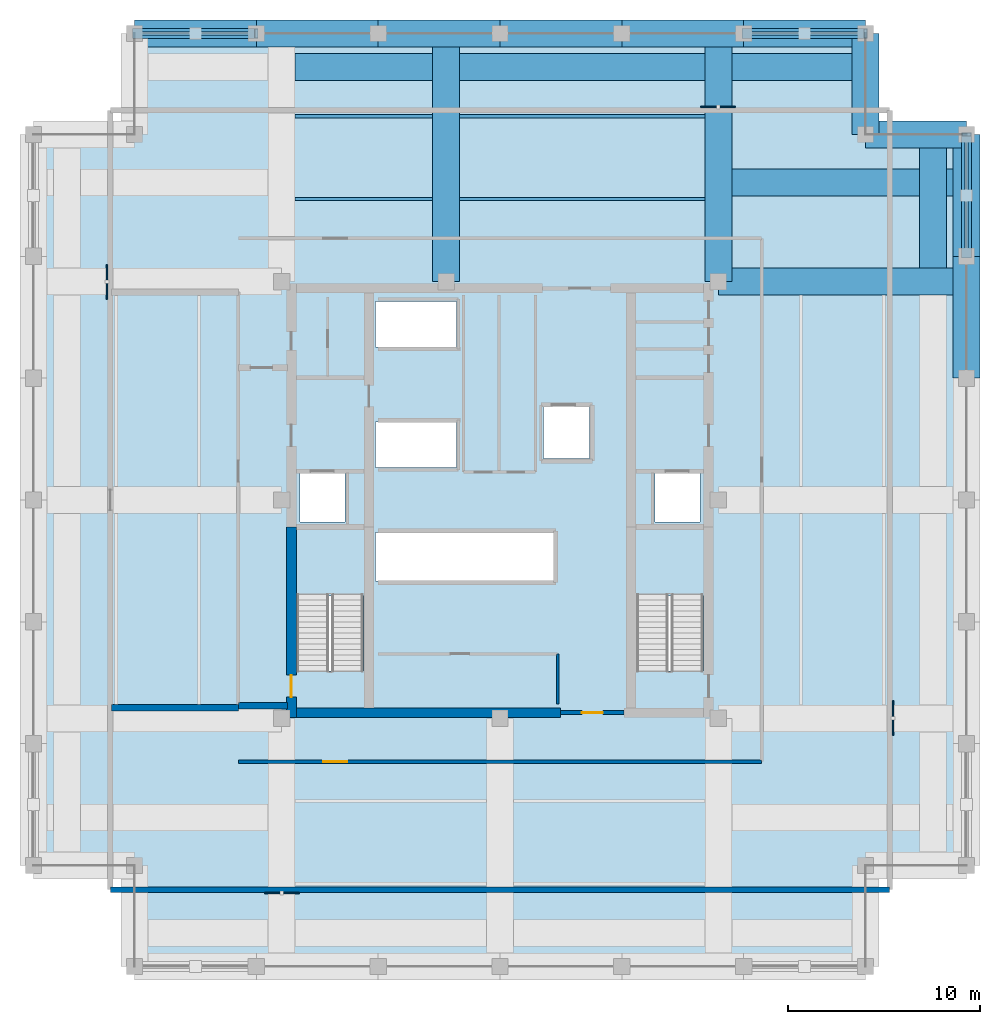
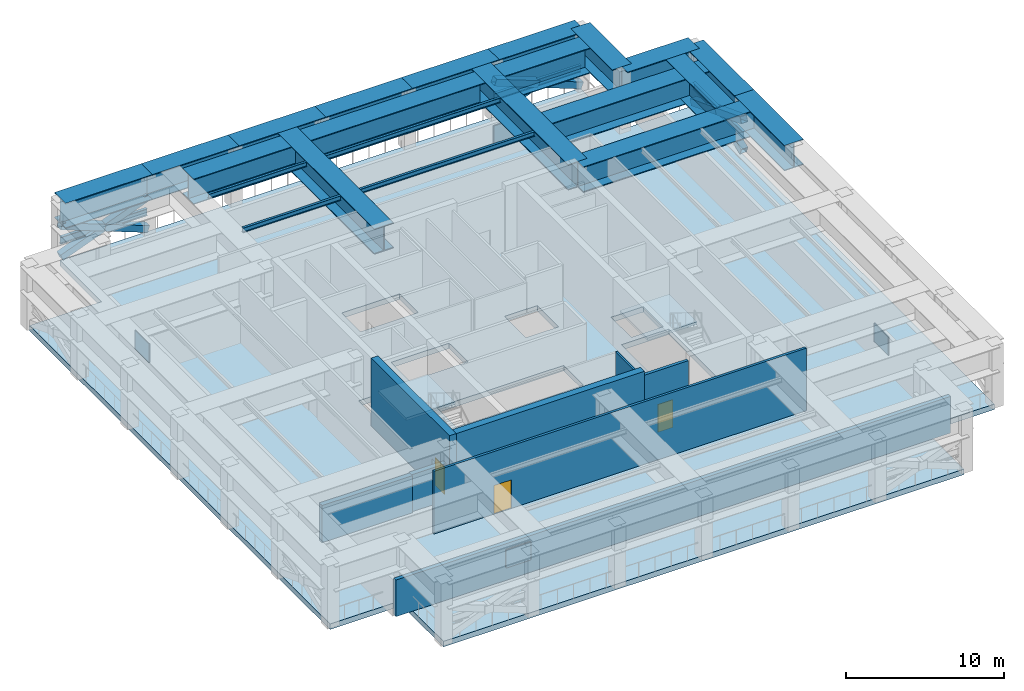
# One storey, part 2 of 10: 24 beams, 9 members, 8 walls, 4 plates, 3 doors, 3 slabs, 3 openings, 2 elements without a shape of their own.
"""IFC4 building model written with IfcOpenShell, lengths in metres."""

from ifc_helpers import new_model, si_unit, direction, frame, frame_2d, origin, origin_2d, place, context, subcontext, project, spatial, polyline, rectangle, hollow_rectangle, i_section, outline, extrude, material, layer, layer_set, material_profile, profile_set, type_object, element, fill, aggregate, save


model = new_model("IFC4")

# Units and contexts
model_context = context("Model", 3, precision=1e-05, world=origin(), true_north=direction((0.0, 1.0)))
body_context = subcontext(model_context, "Body", "Model", "MODEL_VIEW")
ifc_project = project(units=[si_unit("LENGTHUNIT", "METRE"), si_unit("AREAUNIT", "SQUARE_METRE"), si_unit("VOLUMEUNIT", "CUBIC_METRE"), si_unit("PLANEANGLEUNIT", "RADIAN"), si_unit("MASSUNIT", "GRAM", prefix="KILO")], contexts=[model_context])

# Site, building, storey
site_placement = place(None, origin())
site = spatial("IfcSite", under=ifc_project, at=site_placement, CompositionType="ELEMENT")
building_placement = place(site_placement, origin())
building = spatial("IfcBuilding", under=site, at=building_placement, Name="Nhamokura Convention Tower", CompositionType="ELEMENT")
storey_placement = place(building_placement, frame((0.0, 0.0, 252.35009765625)))
storey = spatial("IfcBuildingStorey", under=building, at=storey_placement, Name="L62", CompositionType="ELEMENT", Elevation=252.35009765625)

# Beams
ifc_material_1 = material(Name="Steel ASTM A992 Gr 50", Category="steel")
ifc_material_profile_1 = material_profile(ifc_material_1, i_section(OverallWidth=0.172119140625, OverallDepth=0.35791015625, WebThickness=0.0078125, FlangeThickness=0.01318359375, at=origin_2d()))
ifc_profile_set_1 = profile_set([ifc_material_profile_1], Name="Steel ASTM A992 Gr 50")
beam_type_1 = type_object("IfcBeamType", Name="FloorJoist_W360X57", PredefinedType="JOIST", material=ifc_profile_set_1)
beam_1_placement = place(storey_placement, frame((21.347900390625, 47.64990234375, 4.65087890625), z_axis=(1.0, 0.0, 0.0), x_axis=(0.0, 1.0, 0.0)))
element("IfcBeam", 1, at=beam_1_placement, inside=storey, type_object=beam_type_1, Name="L62 Composite Floor Joist N1A", PredefinedType="JOIST", context=body_context, shape_type="SweptSolid", body=[
    extrude(i_section(OverallWidth=0.172119140625, OverallDepth=0.35791015625, WebThickness=0.0078125, FlangeThickness=0.01318359375, at=origin_2d()), origin(), (0.0, 0.0, 1.0), 7.154052734375),
])
beam_2_placement = place(storey_placement, frame((29.89794921875, 47.64990234375, 4.65087890625), z_axis=(1.0, 0.0, 0.0), x_axis=(0.0, 1.0, 0.0)))
element("IfcBeam", 2, at=beam_2_placement, inside=storey, type_object=beam_type_1, Name="L62 Composite Floor Joist N1B", PredefinedType="JOIST", context=body_context, shape_type="SweptSolid", body=[
    extrude(i_section(OverallWidth=0.172119140625, OverallDepth=0.35791015625, WebThickness=0.0078125, FlangeThickness=0.01318359375, at=origin_2d()), origin(), (0.0, 0.0, 1.0), 12.754150390625),
])
beam_3_placement = place(storey_placement, frame((21.347900390625, 51.949951171875, 4.65087890625), z_axis=(1.0, 0.0, 0.0), x_axis=(0.0, 1.0, 0.0)))
element("IfcBeam", 3, at=beam_3_placement, inside=storey, type_object=beam_type_1, Name="L62 Composite Floor Joist N2A", PredefinedType="JOIST", context=body_context, shape_type="SweptSolid", body=[
    extrude(i_section(OverallWidth=0.172119140625, OverallDepth=0.35791015625, WebThickness=0.0078125, FlangeThickness=0.01318359375, at=origin_2d()), origin(), (0.0, 0.0, 1.0), 7.154052734375),
])
beam_4_placement = place(storey_placement, frame((29.89794921875, 51.949951171875, 4.65087890625), z_axis=(1.0, 0.0, 0.0), x_axis=(0.0, 1.0, 0.0)))
element("IfcBeam", 4, at=beam_4_placement, inside=storey, type_object=beam_type_1, Name="L62 Composite Floor Joist N2B", PredefinedType="JOIST", context=body_context, shape_type="SweptSolid", body=[
    extrude(i_section(OverallWidth=0.172119140625, OverallDepth=0.35791015625, WebThickness=0.0078125, FlangeThickness=0.01318359375, at=origin_2d()), origin(), (0.0, 0.0, 1.0), 12.754150390625),
])

# Members
ifc_material_2 = material(Name="Steel ASTM A572 Gr 50", Category="steel")
ifc_material_profile_2 = material_profile(ifc_material_2, hollow_rectangle(XDim=0.5, YDim=0.5, WallThickness=0.02490234375, at=origin_2d()))
ifc_profile_set_2 = profile_set([ifc_material_profile_2], Name="Steel ASTM A572 Gr 50")
member_type = type_object("IfcMemberType", Name="OutriggerBrace_HSS500", PredefinedType="BRACE", material=ifc_profile_set_2)
member_1_placement = place(storey_placement, frame((13.0, 56.25, 0.349853515625), z_axis=(0.933638416339, 0.0, 0.358216844294), x_axis=(0.0, 1.0, 0.0)))
element("IfcMember", 5, at=member_1_placement, inside=storey, type_object=member_type, Name="L62 Continuous Outrigger Diagonal OUT-N0-1", PredefinedType="BRACE", context=body_context, shape_type="SweptSolid", body=[
    extrude(hollow_rectangle(XDim=0.5, YDim=0.5, WallThickness=0.02490234375, at=origin_2d()), origin(), (0.0, 0.0, 1.0), 6.783447265625),
])
member_2_placement = place(storey_placement, frame((13.0, 56.25, 2.77978515625), z_axis=(0.933655070262, 0.0, -0.358173435327), x_axis=(0.0, 1.0, 0.0)))
element("IfcMember", 6, at=member_2_placement, inside=storey, type_object=member_type, Name="L62 Split Outrigger Diagonal OUT-N0-2A", PredefinedType="BRACE", context=body_context, shape_type="SweptSolid", body=[
    extrude(hollow_rectangle(XDim=0.5, YDim=0.5, WallThickness=0.02490234375, at=origin_2d()), origin(), (0.0, 0.0, 1.0), 3.391845703125),
])
member_3_placement = place(storey_placement, frame((16.166748046875, 56.25, 1.56494140625), z_axis=(0.933621759708, 0.0, -0.358260254284), x_axis=(0.0, 1.0, 0.0)))
element("IfcMember", 7, at=member_3_placement, inside=storey, type_object=member_type, Name="L62 Split Outrigger Diagonal OUT-N0-2B", PredefinedType="BRACE", context=body_context, shape_type="SweptSolid", body=[
    extrude(hollow_rectangle(XDim=0.5, YDim=0.5, WallThickness=0.02490234375, at=origin_2d()), origin(), (0.0, 0.0, 1.0), 3.3916015625),
])
member_4_placement = place(storey_placement, frame((44.666748046875, 56.25, 0.349853515625), z_axis=(0.933638416339, 0.0, 0.358216844294), x_axis=(0.0, 1.0, 0.0)))
element("IfcMember", 8, at=member_4_placement, inside=storey, type_object=member_type, Name="L62 Continuous Outrigger Diagonal OUT-N5-1", PredefinedType="BRACE", context=body_context, shape_type="SweptSolid", body=[
    extrude(hollow_rectangle(XDim=0.5, YDim=0.5, WallThickness=0.02490234375, at=origin_2d()), origin(), (0.0, 0.0, 1.0), 6.783447265625),
])
member_5_placement = place(storey_placement, frame((44.666748046875, 56.25, 2.77978515625), z_axis=(0.933645835121, 0.0, -0.358197507754), x_axis=(0.0, 1.0, 0.0)))
element("IfcMember", 9, at=member_5_placement, inside=storey, type_object=member_type, Name="L62 Split Outrigger Diagonal OUT-N5-2A", PredefinedType="BRACE", context=body_context, shape_type="SweptSolid", body=[
    extrude(hollow_rectangle(XDim=0.5, YDim=0.5, WallThickness=0.02490234375, at=origin_2d()), origin(), (0.0, 0.0, 1.0), 3.3916015625),
])
member_6_placement = place(storey_placement, frame((47.833251953125, 56.25, 1.56494140625), z_axis=(0.933630997846, 0.0, -0.358236178882), x_axis=(0.0, 1.0, 0.0)))
element("IfcMember", 10, at=member_6_placement, inside=storey, type_object=member_type, Name="L62 Split Outrigger Diagonal OUT-N5-2B", PredefinedType="BRACE", context=body_context, shape_type="SweptSolid", body=[
    extrude(hollow_rectangle(XDim=0.5, YDim=0.5, WallThickness=0.02490234375, at=origin_2d()), origin(), (0.0, 0.0, 1.0), 3.391845703125),
])
member_7_placement = place(storey_placement, frame((56.25, 44.666748046875, 0.349853515625), z_axis=(0.0, 0.933638416339, 0.358216844294), x_axis=(-1.0, 0.0, 0.0)))
element("IfcMember", 11, at=member_7_placement, inside=storey, type_object=member_type, Name="L62 Continuous Outrigger Diagonal OUT-E5-1", PredefinedType="BRACE", context=body_context, shape_type="SweptSolid", body=[
    extrude(hollow_rectangle(XDim=0.5, YDim=0.5, WallThickness=0.02490234375, at=origin_2d()), origin(), (0.0, 0.0, 1.0), 6.783447265625),
])
member_8_placement = place(storey_placement, frame((56.25, 44.666748046875, 2.77978515625), z_axis=(0.0, 0.933645835121, -0.358197507754), x_axis=(-1.0, 0.0, 0.0)))
element("IfcMember", 12, at=member_8_placement, inside=storey, type_object=member_type, Name="L62 Split Outrigger Diagonal OUT-E5-2A", PredefinedType="BRACE", context=body_context, shape_type="SweptSolid", body=[
    extrude(hollow_rectangle(XDim=0.5, YDim=0.5, WallThickness=0.02490234375, at=origin_2d()), origin(), (0.0, 0.0, 1.0), 3.3916015625),
])
member_9_placement = place(storey_placement, frame((56.25, 47.833251953125, 1.56494140625), z_axis=(0.0, 0.933630997846, -0.358236178882), x_axis=(-1.0, 0.0, 0.0)))
element("IfcMember", 13, at=member_9_placement, inside=storey, type_object=member_type, Name="L62 Split Outrigger Diagonal OUT-E5-2B", PredefinedType="BRACE", context=body_context, shape_type="SweptSolid", body=[
    extrude(hollow_rectangle(XDim=0.5, YDim=0.5, WallThickness=0.02490234375, at=origin_2d()), origin(), (0.0, 0.0, 1.0), 3.391845703125),
])

# Beams
ifc_material_3 = material(Name="Steel ASTM A992 Gr 50", Category="steel")
ifc_material_profile_3 = material_profile(ifc_material_3, i_section(OverallWidth=0.208984375, OverallDepth=0.532958984375, WebThickness=0.01025390625, FlangeThickness=0.015625, at=origin_2d()))
ifc_profile_set_3 = profile_set([ifc_material_profile_3], Name="Steel ASTM A992 Gr 50")
beam_type_2 = type_object("IfcBeamType", Name="PrimaryGirder_W530X92", PredefinedType="BEAM", material=ifc_profile_set_3)
for number, where, z_axis, x_axis, name in (
    (14, (13.0, 56.25, 1.56494140625), (1.0, 0.0, 0.0), (0.0, 1.0, 0.0), "L62 Outrigger X-Brace Node Tie Beam OUT-N0"),
    (15, (44.666748046875, 56.25, 1.56494140625), (1.0, 0.0, 0.0), (0.0, 1.0, 0.0), "L62 Outrigger X-Brace Node Tie Beam OUT-N5"),
    (16, (56.25, 44.666748046875, 1.56494140625), (0.0, 1.0, 0.0), (-1.0, 0.0, 0.0), "L62 Outrigger X-Brace Node Tie Beam OUT-E5"),
):
    element("IfcBeam", number, at=place(storey_placement, frame(where, z_axis=z_axis, x_axis=x_axis)), inside=storey, type_object=beam_type_2, Name=name, PredefinedType="BEAM", context=body_context, shape_type="SweptSolid", body=[
        extrude(i_section(OverallWidth=0.208984375, OverallDepth=0.532958984375, WebThickness=0.01025390625, FlangeThickness=0.015625, at=origin_2d()), origin(), (0.0, 0.0, 1.0), 6.333251953125),
    ])
ifc_material_4 = material(Name="Steel ASTM A572 Gr 50", Category="steel")
ifc_material_profile_4 = material_profile(ifc_material_4, i_section(OverallWidth=1.39990234375, OverallDepth=1.9599609375, WebThickness=0.054931640625, FlangeThickness=0.06005859375, at=origin_2d()))
ifc_profile_set_4 = profile_set([ifc_material_profile_4], Name="Steel ASTM A572 Gr 50")
beam_type_3 = type_object("IfcBeamType", Name="TransferGirder_2000", PredefinedType="USERDEFINED", material=ifc_profile_set_4)
beam_5_placement = place(storey_placement, frame((13.0, 56.25, 3.849853515625), z_axis=(1.0, 0.0, 0.0), x_axis=(0.0, 1.0, 0.0)))
element("IfcBeam", 17, at=beam_5_placement, inside=storey, type_object=beam_type_3, Name="L62 Perimeter Transfer Spandrel NORTH 1", ObjectType="TRANSFER_GIRDER", PredefinedType="USERDEFINED", context=body_context, shape_type="SweptSolid", body=[
    extrude(i_section(OverallWidth=1.39990234375, OverallDepth=1.9599609375, WebThickness=0.054931640625, FlangeThickness=0.06005859375, at=origin_2d()), origin(), (0.0, 0.0, 1.0), 6.333251953125),
])
beam_6_placement = place(storey_placement, frame((19.333251953125, 56.25, 3.849853515625), z_axis=(1.0, 0.0, 0.0), x_axis=(0.0, 1.0, 0.0)))
element("IfcBeam", 18, at=beam_6_placement, inside=storey, type_object=beam_type_3, Name="L62 Perimeter Transfer Spandrel NORTH 2", ObjectType="TRANSFER_GIRDER", PredefinedType="USERDEFINED", context=body_context, shape_type="SweptSolid", body=[
    extrude(i_section(OverallWidth=1.39990234375, OverallDepth=1.9599609375, WebThickness=0.054931640625, FlangeThickness=0.06005859375, at=origin_2d()), origin(), (0.0, 0.0, 1.0), 6.33349609375),
])
for number, where, z_axis, x_axis, name in (
    (19, (25.666748046875, 56.25, 3.849853515625), (1.0, 0.0, 0.0), (0.0, 1.0, 0.0), "L62 Perimeter Transfer Spandrel NORTH 3"),
    (20, (32.0, 56.25, 3.849853515625), (1.0, 0.0, 0.0), (0.0, 1.0, 0.0), "L62 Perimeter Transfer Spandrel NORTH 4"),
):
    element("IfcBeam", number, at=place(storey_placement, frame(where, z_axis=z_axis, x_axis=x_axis)), inside=storey, type_object=beam_type_3, Name=name, ObjectType="TRANSFER_GIRDER", PredefinedType="USERDEFINED", context=body_context, shape_type="SweptSolid", body=[
        extrude(i_section(OverallWidth=1.39990234375, OverallDepth=1.9599609375, WebThickness=0.054931640625, FlangeThickness=0.06005859375, at=origin_2d()), origin(), (0.0, 0.0, 1.0), 6.333251953125),
    ])
beam_7_placement = place(storey_placement, frame((38.333251953125, 56.25, 3.849853515625), z_axis=(1.0, 0.0, 0.0), x_axis=(0.0, 1.0, 0.0)))
element("IfcBeam", 21, at=beam_7_placement, inside=storey, type_object=beam_type_3, Name="L62 Perimeter Transfer Spandrel NORTH 5", ObjectType="TRANSFER_GIRDER", PredefinedType="USERDEFINED", context=body_context, shape_type="SweptSolid", body=[
    extrude(i_section(OverallWidth=1.39990234375, OverallDepth=1.9599609375, WebThickness=0.054931640625, FlangeThickness=0.06005859375, at=origin_2d()), origin(), (0.0, 0.0, 1.0), 6.33349609375),
])
beam_8_placement = place(storey_placement, frame((44.666748046875, 56.25, 3.849853515625), z_axis=(1.0, 0.0, 0.0), x_axis=(0.0, 1.0, 0.0)))
element("IfcBeam", 22, at=beam_8_placement, inside=storey, type_object=beam_type_3, Name="L62 Perimeter Transfer Spandrel NORTH 6", ObjectType="TRANSFER_GIRDER", PredefinedType="USERDEFINED", context=body_context, shape_type="SweptSolid", body=[
    extrude(i_section(OverallWidth=1.39990234375, OverallDepth=1.9599609375, WebThickness=0.054931640625, FlangeThickness=0.06005859375, at=origin_2d()), origin(), (0.0, 0.0, 1.0), 6.333251953125),
])
beam_9_placement = place(storey_placement, frame((56.25, 38.333251953125, 3.849853515625), z_axis=(0.0, 1.0, 0.0), x_axis=(-1.0, 0.0, 0.0)))
element("IfcBeam", 23, at=beam_9_placement, inside=storey, type_object=beam_type_3, Name="L62 Perimeter Transfer Spandrel EAST 5", ObjectType="TRANSFER_GIRDER", PredefinedType="USERDEFINED", context=body_context, shape_type="SweptSolid", body=[
    extrude(i_section(OverallWidth=1.39990234375, OverallDepth=1.9599609375, WebThickness=0.054931640625, FlangeThickness=0.06005859375, at=origin_2d()), origin(), (0.0, 0.0, 1.0), 6.33349609375),
])
beam_10_placement = place(storey_placement, frame((56.25, 44.666748046875, 3.849853515625), z_axis=(0.0, 1.0, 0.0), x_axis=(-1.0, 0.0, 0.0)))
element("IfcBeam", 24, at=beam_10_placement, inside=storey, type_object=beam_type_3, Name="L62 Perimeter Transfer Spandrel EAST 6", ObjectType="TRANSFER_GIRDER", PredefinedType="USERDEFINED", context=body_context, shape_type="SweptSolid", body=[
    extrude(i_section(OverallWidth=1.39990234375, OverallDepth=1.9599609375, WebThickness=0.054931640625, FlangeThickness=0.06005859375, at=origin_2d()), origin(), (0.0, 0.0, 1.0), 6.333251953125),
])
for number, where, z_axis, x_axis, name in (
    (25, (56.25, 51.0, 3.849853515625), (-1.0, 0.0, 0.0), (0.0, -1.0, 0.0), "L62 Notch Transfer Spandrel NE1"),
    (26, (51.0, 51.0, 3.849853515625), (0.0, 1.0, 0.0), (-1.0, 0.0, 0.0), "L62 Notch Transfer Spandrel NE2"),
):
    element("IfcBeam", number, at=place(storey_placement, frame(where, z_axis=z_axis, x_axis=x_axis)), inside=storey, type_object=beam_type_3, Name=name, ObjectType="TRANSFER_GIRDER", PredefinedType="USERDEFINED", context=body_context, shape_type="SweptSolid", body=[
        extrude(i_section(OverallWidth=1.39990234375, OverallDepth=1.9599609375, WebThickness=0.054931640625, FlangeThickness=0.06005859375, at=origin_2d()), origin(), (0.0, 0.0, 1.0), 5.25),
    ])
beam_11_placement = place(storey_placement, frame((21.347900390625, 54.5, 3.849853515625), z_axis=(1.0, 0.0, 0.0), x_axis=(0.0, 1.0, 0.0)))
element("IfcBeam", 27, at=beam_11_placement, inside=storey, type_object=beam_type_3, Name="L62 Upper-Line Transfer Girder TGU-NM", ObjectType="TRANSFER_GIRDER", PredefinedType="USERDEFINED", context=body_context, shape_type="SweptSolid", body=[
    extrude(i_section(OverallWidth=1.39990234375, OverallDepth=1.9599609375, WebThickness=0.054931640625, FlangeThickness=0.06005859375, at=origin_2d()), origin(), (0.0, 0.0, 1.0), 21.30419921875),
])
for number, where, z_axis, x_axis, name in (
    (28, (44.048095703125, 54.5, 3.849853515625), (1.0, 0.0, 0.0), (0.0, 1.0, 0.0), "L62 Upper-Line Transfer Girder TGU-NE"),
    (29, (54.5, 44.048095703125, 3.849853515625), (0.0, 1.0, 0.0), (-1.0, 0.0, 0.0), "L62 Upper-Line Transfer Girder TGU-EN"),
):
    element("IfcBeam", number, at=place(storey_placement, frame(where, z_axis=z_axis, x_axis=x_axis)), inside=storey, type_object=beam_type_3, Name=name, ObjectType="TRANSFER_GIRDER", PredefinedType="USERDEFINED", context=body_context, shape_type="SweptSolid", body=[
        extrude(i_section(OverallWidth=1.39990234375, OverallDepth=1.9599609375, WebThickness=0.054931640625, FlangeThickness=0.06005859375, at=origin_2d()), origin(), (0.0, 0.0, 1.0), 6.25390625),
    ])
beam_12_placement = place(storey_placement, frame((44.048095703125, 48.5, 3.849853515625), z_axis=(1.0, 0.0, 0.0), x_axis=(0.0, 1.0, 0.0)))
element("IfcBeam", 30, at=beam_12_placement, inside=storey, type_object=beam_type_3, Name="L62 Upper-Line Transfer Girder TGN-NE0", ObjectType="TRANSFER_GIRDER", PredefinedType="USERDEFINED", context=body_context, shape_type="SweptSolid", body=[
    extrude(i_section(OverallWidth=1.39990234375, OverallDepth=1.9599609375, WebThickness=0.054931640625, FlangeThickness=0.06005859375, at=origin_2d()), origin(), (0.0, 0.0, 1.0), 11.50390625),
])
for number, where, z_axis, x_axis, name in (
    (31, (29.199951171875, 43.35009765625, 3.849853515625), (0.0, 1.0, 0.0), (-1.0, 0.0, 0.0), "L62 Primary Floor Girder PG-N2"),
    (32, (43.35009765625, 43.35009765625, 3.849853515625), (0.0, 1.0, 0.0), (-1.0, 0.0, 0.0), "L62 Primary Floor Girder PG-N3"),
    (33, (43.35009765625, 43.35009765625, 3.849853515625), (1.0, 0.0, 0.0), (0.0, 1.0, 0.0), "L62 Primary Floor Girder PG-E3"),
):
    element("IfcBeam", number, at=place(storey_placement, frame(where, z_axis=z_axis, x_axis=x_axis)), inside=storey, type_object=beam_type_3, Name=name, ObjectType="TRANSFER_GIRDER", PredefinedType="USERDEFINED", context=body_context, shape_type="SweptSolid", body=[
        extrude(i_section(OverallWidth=1.39990234375, OverallDepth=1.9599609375, WebThickness=0.054931640625, FlangeThickness=0.06005859375, at=origin_2d()), origin(), (0.0, 0.0, 1.0), 12.89990234375),
    ])

# Plates
ifc_material_5 = material(Name="Anodised bronze aluminium AA6063-T6", Category="aluminium")
ifc_layer_1 = layer(ifc_material_5, 0.074951171875)
ifc_layer_set_1 = layer_set([ifc_layer_1], Name="AcousticLouvrePlate_3")
plate_type = type_object("IfcPlateType", Name="AcousticLouvrePlate_3", PredefinedType="USERDEFINED", material=ifc_layer_set_1)
for number, where, z_axis, x_axis, name in (
    (34, (20.659912109375, 11.572509765625, 1.0), (0.0, 0.0, 1.0), (-1.0, 0.0, 0.0), "L62 Plant Acoustic Louvre S"),
    (35, (52.427490234375, 20.659912109375, 1.0), (0.0, 0.0, 1.0), (0.0, -1.0, 0.0), "L62 Plant Acoustic Louvre E"),
    (36, (43.340087890625, 52.427490234375, 1.0), (0.0, 0.0, 1.0), (1.0, 0.0, 0.0), "L62 Plant Acoustic Louvre N"),
    (37, (11.572509765625, 43.340087890625, 1.0), (0.0, 0.0, 1.0), (0.0, 1.0, 0.0), "L62 Plant Acoustic Louvre W"),
):
    element("IfcPlate", number, at=place(storey_placement, frame(where, z_axis=z_axis, x_axis=x_axis)), inside=storey, type_object=plate_type, Name=name, ObjectType="ACOUSTIC_LOUVRE", PredefinedType="USERDEFINED", context=body_context, shape_type="SweptSolid", body=[
        extrude(rectangle(XDim=1.800048828125, YDim=0.074951171875, at=origin_2d()), origin(), (0.0, 0.0, 1.0), 1.39990234375),
    ])

# Stair, slab
ifc_material_6 = material(Name="Concrete C40/50", Category="concrete")
stair_type = type_object("IfcStairType", Name="TowerCoreStair_1650", PredefinedType="HALF_TURN_STAIR", material=ifc_material_6)
stair_1_placement = place(storey_placement, origin())
stair_1 = element("IfcStair", 38, at=stair_1_placement, inside=storey, type_object=stair_type, Name="L62 West Core Smokeproof Stair ST-01", PredefinedType="HALF_TURN_STAIR")
ifc_material_7 = material(Name="Concrete C40/50", Category="concrete")
ifc_layer_2 = layer(ifc_material_7, 0.199951171875)
ifc_layer_set_2 = layer_set([ifc_layer_2], Name="StairLandingSlab_200")
slab_type_1 = type_object("IfcSlabType", Name="StairLandingSlab_200", PredefinedType="LANDING", material=ifc_layer_set_2)
slab_1_placement = place(storey_placement, frame((0.0, 0.0, 2.4248046875)))
slab_1 = element("IfcSlab", 39, at=slab_1_placement, type_object=slab_type_1, Name="ST-01 landing 1", PredefinedType="LANDING", context=body_context, shape_type="SweptSolid", body=[
    extrude(outline(polyline([(24.97998046875, 27.010009765625), (24.97998046875, 30.530029296875), (21.3701171875, 30.530029296875), (21.3701171875, 27.010009765625), (24.97998046875, 27.010009765625)])), origin(), (0.0, 0.0, 1.0), 0.2001953125),
])
aggregate(stair_1, [slab_1])

stair_2_placement = place(storey_placement, origin())
stair_2 = element("IfcStair", 40, at=stair_2_placement, inside=storey, type_object=stair_type, Name="L62 East Core Smokeproof Stair ST-02", PredefinedType="HALF_TURN_STAIR")
slab_2_placement = place(storey_placement, frame((0.0, 0.0, 2.4248046875)))
slab_2 = element("IfcSlab", 41, at=slab_2_placement, type_object=slab_type_1, Name="ST-02 landing 1", PredefinedType="LANDING", context=body_context, shape_type="SweptSolid", body=[
    extrude(outline(polyline([(42.6298828125, 27.010009765625), (42.6298828125, 30.530029296875), (39.02001953125, 30.530029296875), (39.02001953125, 27.010009765625), (42.6298828125, 27.010009765625)])), origin(), (0.0, 0.0, 1.0), 0.2001953125),
])
aggregate(stair_2, [slab_2])

# Slab
ifc_material_8 = material(Name="Concrete C50/60", Category="concrete")
ifc_layer_3 = layer(ifc_material_8, 0.419921875)
ifc_layer_set_3 = layer_set([ifc_layer_3], Name="TransferDeckSlab_380")
slab_type_2 = type_object("IfcSlabType", Name="TransferDeckSlab_380", PredefinedType="FLOOR", material=ifc_layer_set_3)
slab_3_placement = place(storey_placement, frame((0.0, 0.0, -0.420166015625)))
element("IfcSlab", 42, at=slab_3_placement, inside=storey, type_object=slab_type_2, Name="L62 Structural Floor Slab", PredefinedType="FLOOR", context=body_context, shape_type="SweptSolid", body=[
    extrude(outline(polyline([(13.0, 7.75), (51.0, 7.75), (51.0, 13.0), (56.25, 13.0), (56.25, 51.0), (51.0, 51.0), (51.0, 56.25), (13.0, 56.25), (13.0, 51.0), (7.75, 51.0), (7.75, 13.0), (13.0, 13.0), (13.0, 7.75)]), holes=[polyline([(24.89990234375, 23.10009765625), (24.89990234375, 30.449951171875), (21.449951171875, 30.449951171875), (21.449951171875, 23.10009765625), (24.89990234375, 23.10009765625)]), polyline([(42.550048828125, 23.10009765625), (42.550048828125, 30.449951171875), (39.10009765625, 30.449951171875), (39.10009765625, 23.10009765625), (42.550048828125, 23.10009765625)]), polyline([(21.60009765625, 30.85009765625), (23.949951171875, 30.85009765625), (23.949951171875, 33.39990234375), (21.60009765625, 33.39990234375), (21.60009765625, 30.85009765625)]), polyline([(40.050048828125, 30.85009765625), (42.39990234375, 30.85009765625), (42.39990234375, 33.39990234375), (40.050048828125, 33.39990234375), (40.050048828125, 30.85009765625)]), polyline([(34.25, 34.14990234375), (36.64990234375, 34.14990234375), (36.64990234375, 36.85009765625), (34.25, 36.85009765625), (34.25, 34.14990234375)]), polyline([(25.52001953125, 27.800048828125), (34.800048828125, 27.800048828125), (34.800048828125, 30.300048828125), (25.52001953125, 30.300048828125), (25.52001953125, 27.800048828125)]), polyline([(25.52001953125, 33.679931640625), (29.75, 33.679931640625), (29.75, 36.050048828125), (25.52001953125, 36.050048828125), (25.52001953125, 33.679931640625)]), polyline([(25.52001953125, 39.949951171875), (29.75, 39.949951171875), (29.75, 42.320068359375), (25.52001953125, 42.320068359375), (25.52001953125, 39.949951171875)])]), origin(), (0.0, 0.0, 1.0), 0.420166015625),
])

# Wall
ifc_material_9 = material(Name="Bronze-pigmented precast concrete C45/55", Category="concrete")
ifc_layer_4 = layer(ifc_material_9, 0.280029296875)
ifc_layer_set_4 = layer_set([ifc_layer_4], Name="BronzePrecastSpandrel_280")
wall_type_1 = type_object("IfcWallType", Name="BronzePrecastSpandrel_280", PredefinedType="USERDEFINED", material=ifc_layer_set_4)
wall_1_placement = place(storey_placement, frame((52.25, 11.75, 0.0), z_axis=(0.0, 0.0, 1.0), x_axis=(-1.0, 0.0, 0.0)))
element("IfcWall", 43, at=wall_1_placement, inside=storey, type_object=wall_type_1, Name="L62 Refuge Deck Enclosure Wall S", ObjectType="SPANDREL_WALL", PredefinedType="USERDEFINED", context=body_context, shape_type="SweptSolid", body=[
    extrude(rectangle(XDim=40.5, YDim=0.280029296875, at=frame_2d((20.25, 0.0))), origin(), (0.0, 0.0, 1.0), 2.829833984375),
])

# Wall, opening, door
ifc_material_10 = material(Name="Concrete C60/75", Category="concrete")
ifc_layer_5 = layer(ifc_material_10, 0.5)
ifc_layer_set_5 = layer_set([ifc_layer_5], Name="CoreShearWall_500")
wall_type_2 = type_object("IfcWallType", Name="CoreShearWall_500", PredefinedType="SHEAR", material=ifc_layer_set_5)
wall_2_placement = place(storey_placement, frame((21.159912109375, 20.699951171875, 0.0), z_axis=(0.0, 0.0, 1.0), x_axis=(0.0, 1.0, 0.0)))
wall_2 = element("IfcWall", 44, at=wall_2_placement, inside=storey, type_object=wall_type_2, Name="L62 Core Shear Wall CW-WS", PredefinedType="SHEAR", context=body_context, shape_type="SweptSolid", body=[
    extrude(rectangle(XDim=9.900146484375, YDim=0.5, at=frame_2d((4.9501953125, 0.0))), origin(), (0.0, 0.0, 1.0), 5.25),
])
opening_1_placement = place(wall_2_placement, frame((1.050048828125, 0.0, 0.0)))
opening_1 = element("IfcOpeningElement", 45, at=opening_1_placement, cuts=wall_2, Name="Opening D-04", PredefinedType="OPENING", context=body_context, shape_type="SweptSolid", body=[
    extrude(rectangle(XDim=1.14990234375, YDim=2.14990234375, at=frame_2d((0.574951171875, 1.074951171875))), frame((0.0, 0.260009765625, 0.0), z_axis=(0.0, -1.0, 0.0), x_axis=(1.0, 0.0, 0.0)), (0.0, 0.0, 1.0), 0.52001953125),
])
ifc_material_11 = material(Name="Fire-rated steel door", Category="steel")
door_type_1 = type_object("IfcDoorType", Name="StairSmokeDoor_1150", OperationType="NOTDEFINED", PredefinedType="DOOR", material=ifc_material_11)
door_1_placement = place(opening_1_placement, origin())
door_1 = element("IfcDoor", 46, at=door_1_placement, inside=storey, type_object=door_type_1, Name="L62 Core Door INT-L62-D-ST01", OperationType="SINGLE_SWING_LEFT", OverallHeight=2.14990234375, OverallWidth=1.14990234375, PredefinedType="DOOR", context=body_context, shape_type="SweptSolid", body=[
    extrude(rectangle(XDim=1.14990234375, YDim=2.14990234375, at=frame_2d((0.574951171875, 1.074951171875))), frame((0.0, 0.02490234375, 0.0), z_axis=(0.0, -1.0, 0.0), x_axis=(1.0, 0.0, 0.0)), (0.0, 0.0, 1.0), 0.050048828125),
])
fill(opening_1, door_1)

# Wall
wall_3_placement = place(storey_placement, frame((21.409912109375, 20.949951171875, 0.0), z_axis=(0.0, 0.0, 1.0), x_axis=(1.0, 0.0, 0.0)))
element("IfcWall", 47, at=wall_3_placement, inside=storey, type_object=wall_type_2, Name="L62 Core Shear Wall CW-S1", PredefinedType="SHEAR", context=body_context, shape_type="SweptSolid", body=[
    extrude(rectangle(XDim=13.739990234375, YDim=0.5, at=frame_2d((6.8701171875, 0.0))), origin(), (0.0, 0.0, 1.0), 5.25),
])

# Wall, opening, door
ifc_material_12 = material(Name="Fire-rated gypsum and masonry partition", Category="masonry")
ifc_layer_6 = layer(ifc_material_12, 0.179931640625)
ifc_layer_set_6 = layer_set([ifc_layer_6], Name="CorridorRatedWall_180")
wall_type_3 = type_object("IfcWallType", Name="CorridorRatedWall_180", PredefinedType="STANDARD", material=ifc_layer_set_6)
wall_4_placement = place(storey_placement, frame((18.39990234375, 18.39990234375, 0.0), z_axis=(0.0, 0.0, 1.0), x_axis=(1.0, 0.0, 0.0)))
wall_4 = element("IfcWall", 48, at=wall_4_placement, inside=storey, type_object=wall_type_3, Name="L62 Wall INT-L62-CW-S00", PredefinedType="STANDARD", context=body_context, shape_type="SweptSolid", body=[
    extrude(rectangle(XDim=27.2001953125, YDim=0.179931640625, at=frame_2d((13.60009765625, 0.0))), origin(), (0.0, 0.0, 1.0), 4.829833984375),
])
opening_2_placement = place(wall_4_placement, frame((4.39990234375, 0.0, 0.0)))
opening_2 = element("IfcOpeningElement", 49, at=opening_2_placement, cuts=wall_4, Name="Opening D-12", PredefinedType="OPENING", context=body_context, shape_type="SweptSolid", body=[
    extrude(rectangle(XDim=1.25, YDim=2.199951171875, at=frame_2d((0.625, 1.10009765625))), frame((0.0, 0.099853515625, 0.0), z_axis=(0.0, -1.0, 0.0), x_axis=(1.0, 0.0, 0.0)), (0.0, 0.0, 1.0), 0.199951171875),
])
ifc_material_13 = material(Name="Fire-rated steel door", Category="steel")
door_type_2 = type_object("IfcDoorType", Name="PlantServiceDoor_1250", OperationType="NOTDEFINED", PredefinedType="DOOR", material=ifc_material_13)
door_2_placement = place(opening_2_placement, origin())
door_2 = element("IfcDoor", 50, at=door_2_placement, inside=storey, type_object=door_type_2, Name="L62 Smoke Pressurisation Plant S01 Door", OperationType="SINGLE_SWING_LEFT", OverallHeight=2.199951171875, OverallWidth=1.25, PredefinedType="DOOR", context=body_context, shape_type="SweptSolid", body=[
    extrude(rectangle(XDim=1.25, YDim=2.199951171875, at=frame_2d((0.625, 1.10009765625))), frame((0.0, 0.02490234375, 0.0), z_axis=(0.0, -1.0, 0.0), x_axis=(1.0, 0.0, 0.0)), (0.0, 0.0, 1.0), 0.050048828125),
])
fill(opening_2, door_2)

ifc_material_14 = material(Name="Autoclaved concrete blockwork", Category="masonry")
ifc_layer_7 = layer(ifc_material_14, 0.219970703125)
ifc_layer_set_7 = layer_set([ifc_layer_7], Name="FireLobbyWall_220")
wall_type_4 = type_object("IfcWallType", Name="FireLobbyWall_220", PredefinedType="STANDARD", material=ifc_layer_set_7)
wall_5_placement = place(storey_placement, frame((35.14990234375, 20.949951171875, 0.0), z_axis=(0.0, 0.0, 1.0), x_axis=(1.0, 0.0, 0.0)))
wall_5 = element("IfcWall", 51, at=wall_5_placement, inside=storey, type_object=wall_type_4, Name="L62 Wall INT-L62-SPORT-S", PredefinedType="STANDARD", context=body_context, shape_type="SweptSolid", body=[
    extrude(rectangle(XDim=3.300048828125, YDim=0.219970703125, at=frame_2d((1.64990234375, 0.0))), origin(), (0.0, 0.0, 1.0), 4.829833984375),
])
opening_3_placement = place(wall_5_placement, frame((1.10009765625, 0.0, 0.0)))
opening_3 = element("IfcOpeningElement", 52, at=opening_3_placement, cuts=wall_5, Name="Opening D-05", PredefinedType="OPENING", context=body_context, shape_type="SweptSolid", body=[
    extrude(rectangle(XDim=1.10009765625, YDim=2.14990234375, at=frame_2d((0.550048828125, 1.074951171875))), frame((0.0, 0.119873046875, 0.0), z_axis=(0.0, -1.0, 0.0), x_axis=(1.0, 0.0, 0.0)), (0.0, 0.0, 1.0), 0.239990234375),
])
ifc_material_15 = material(Name="Fire-rated steel door", Category="steel")
door_type_3 = type_object("IfcDoorType", Name="FireLobbyDoor_1100", OperationType="NOTDEFINED", PredefinedType="DOOR", material=ifc_material_15)
door_3_placement = place(opening_3_placement, origin())
door_3 = element("IfcDoor", 53, at=door_3_placement, inside=storey, type_object=door_type_3, Name="L62 South Core Lobby Portal Door", OperationType="SINGLE_SWING_LEFT", OverallHeight=2.14990234375, OverallWidth=1.10009765625, PredefinedType="DOOR", context=body_context, shape_type="SweptSolid", body=[
    extrude(rectangle(XDim=1.10009765625, YDim=2.14990234375, at=frame_2d((0.550048828125, 1.074951171875))), frame((0.0, 0.02490234375, 0.0), z_axis=(0.0, -1.0, 0.0), x_axis=(1.0, 0.0, 0.0)), (0.0, 0.0, 1.0), 0.050048828125),
])
fill(opening_3, door_3)

# Walls
ifc_material_16 = material(Name="Concrete C50/60", Category="concrete")
ifc_layer_8 = layer(ifc_material_16, 0.35009765625)
ifc_layer_set_8 = layer_set([ifc_layer_8], Name="FirewallPlant_350")
wall_type_5 = type_object("IfcWallType", Name="FirewallPlant_350", PredefinedType="STANDARD", material=ifc_layer_set_8)
wall_6_placement = place(storey_placement, frame((18.39990234375, 21.300048828125, 0.0), z_axis=(0.0, 0.0, 1.0), x_axis=(1.0, 0.0, 0.0)))
element("IfcWall", 54, at=wall_6_placement, inside=storey, type_object=wall_type_5, Name="L62 Wall INT-L62-RLOB-S", PredefinedType="STANDARD", context=body_context, shape_type="SweptSolid", body=[
    extrude(rectangle(XDim=2.550048828125, YDim=0.35009765625, at=frame_2d((1.27490234375, 0.0))), origin(), (0.0, 0.0, 1.0), 2.85791015625),
])
wall_7_placement = place(storey_placement, frame((11.800048828125, 21.199951171875, 0.0), z_axis=(0.0, 0.0, 1.0), x_axis=(1.0, 0.0, 0.0)))
element("IfcWall", 55, at=wall_7_placement, inside=storey, type_object=wall_type_5, Name="L62 Wall INT-L62-RWB-W", PredefinedType="STANDARD", context=body_context, shape_type="SweptSolid", body=[
    extrude(rectangle(XDim=6.599853515625, YDim=0.35009765625, at=frame_2d((3.2998046875, 0.0))), origin(), (0.0, 0.0, 1.0), 2.85791015625),
])
ifc_material_17 = material(Name="Acoustic gypsum stud partition", Category="masonry")
ifc_layer_9 = layer(ifc_material_17, 0.14990234375)
ifc_layer_set_9 = layer_set([ifc_layer_9], Name="InteriorPartition_150")
wall_type_6 = type_object("IfcWallType", Name="InteriorPartition_150", PredefinedType="STANDARD", material=ifc_layer_set_9)
wall_8_placement = place(storey_placement, frame((35.0, 21.39990234375, 0.0), z_axis=(0.0, 0.0, 1.0), x_axis=(0.0, 1.0, 0.0)))
element("IfcWall", 56, at=wall_8_placement, inside=storey, type_object=wall_type_6, Name="L62 Wall INT-L62-B1R-E", PredefinedType="STANDARD", context=body_context, shape_type="SweptSolid", body=[
    extrude(rectangle(XDim=2.60009765625, YDim=0.14990234375, at=frame_2d((1.300048828125, 0.0))), origin(), (0.0, 0.0, 1.0), 4.829833984375),
])

save(model, "model.ifc")
